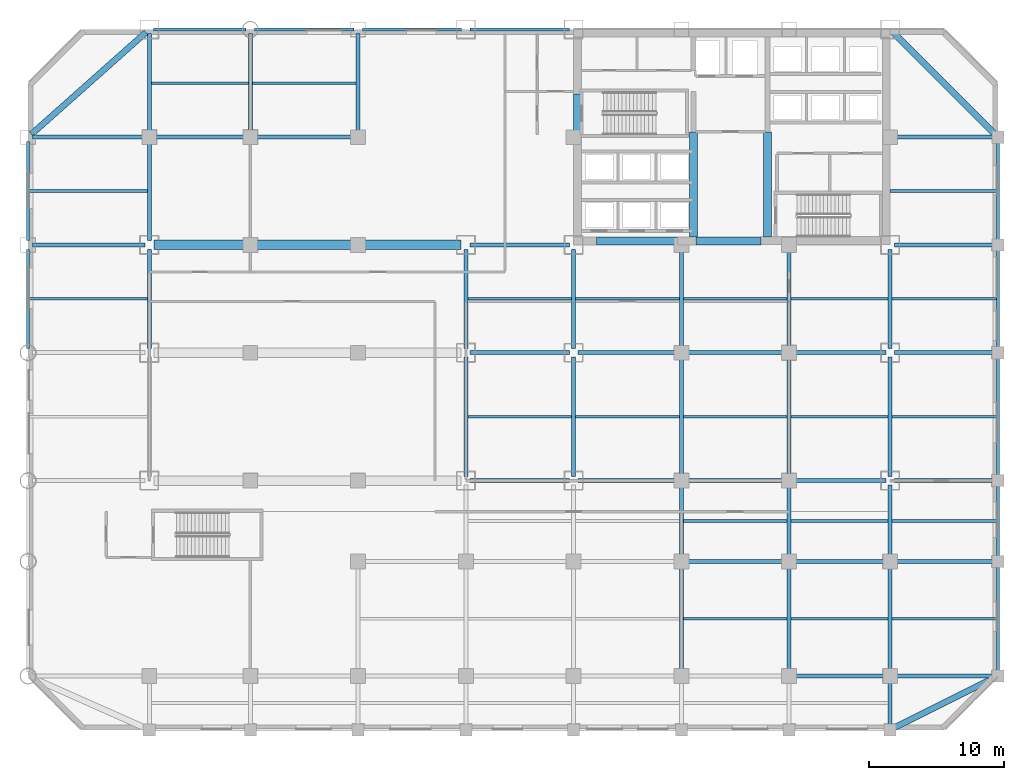
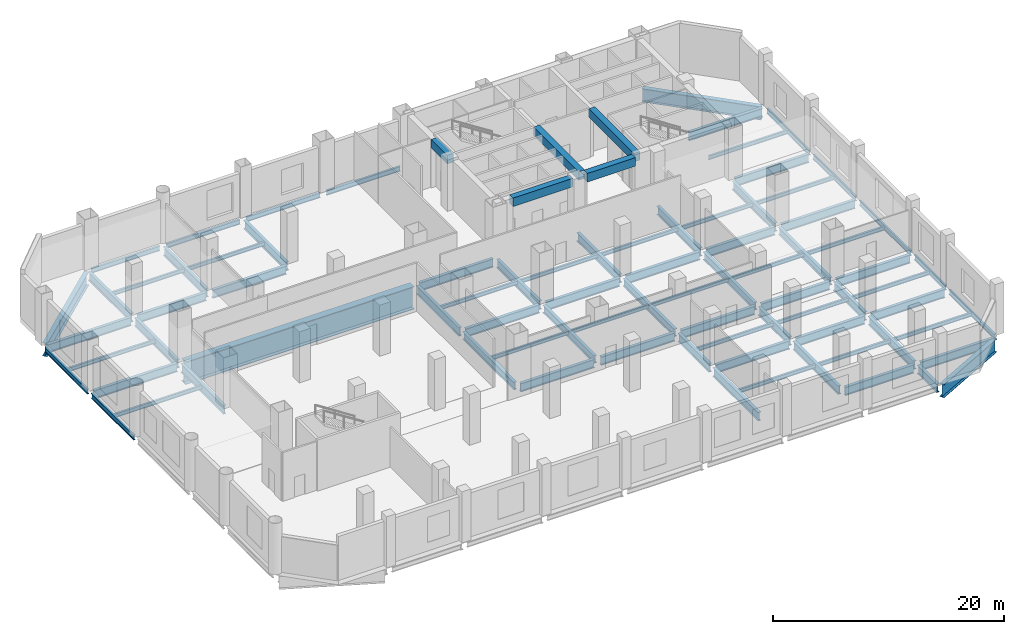
# One storey, part 2 of 10: 85 beams.
"""IFC4 building model written with IfcOpenShell, lengths in metres."""

import ifcopenshell
import ifcopenshell.guid

model = None  # the IFC model being written
_history = None  # IfcOwnerHistory: only IFC2X3 demands one
_inside = {}  # id of a spatial element -> (the spatial element, [elements in it])
_under = {}  # id of a project, library or spatial element -> (it, [spatial elements below it])
_declared = {}  # id of a project -> (the project, [libraries it declares])
_typed = {}  # id of a type object -> (the type object, [elements of that type])
_made_of = {}  # id of a material, layer set ... -> (it, [elements and type objects made of it])


def new_model(schema):
    """Start an empty IFC model of exactly this schema.

    Asked for "IFC4X3", IfcOpenShell would pick the latest addendum, in which some entities
    have other attributes; the version numbers below select the first issue.
    IFC2X3 requires an IfcOwnerHistory on every rooted entity: one is made here for all.
    """
    global model, _history
    if schema == "IFC4X3":
        model = ifcopenshell.file(schema_version=(4, 3, 0, 0))
    else:
        model = ifcopenshell.file(schema=schema)
    _inside.clear()
    _under.clear()
    _declared.clear()
    _typed.clear()
    _made_of.clear()
    _history = None
    if model.schema == "IFC2X3":
        org = make("IfcOrganization", Name="unknown")
        user = make(
            "IfcPersonAndOrganization",
            ThePerson=make("IfcPerson", FamilyName="unknown"),
            TheOrganization=org,
        )
        app = make(
            "IfcApplication",
            ApplicationDeveloper=org,
            Version="unknown",
            ApplicationFullName="unknown",
            ApplicationIdentifier="unknown",
        )
        _history = make(
            "IfcOwnerHistory",
            OwningUser=user,
            OwningApplication=app,
            ChangeAction="ADDED",
            CreationDate=0,
        )
    return model


def make(cls, **values):
    """One entity of the class cls with the attributes given. An attribute that is None is left unset."""
    return model.create_entity(
        cls, **{name: value for name, value in values.items() if value is not None}
    )


def rooted(cls, **values):
    """An entity with a GlobalId (a new one), such as an element, a storey or a relation."""
    return make(cls, GlobalId=ifcopenshell.guid.new(), OwnerHistory=_history, **values)


def si_unit(unit_type, name, prefix=None):
    """IfcSIUnit, for example si_unit("LENGTHUNIT", "METRE", prefix="MILLI")."""
    return make("IfcSIUnit", UnitType=unit_type, Prefix=prefix, Name=name)


def assignment(units):
    """IfcUnitAssignment: the units of a project."""
    return None if units is None else make("IfcUnitAssignment", Units=units)


def point(xyz):
    """IfcCartesianPoint."""
    return None if xyz is None else make("IfcCartesianPoint", Coordinates=xyz)


def direction(xyz):
    """IfcDirection."""
    return None if xyz is None else make("IfcDirection", DirectionRatios=xyz)


def frame(location, z_axis=None, x_axis=None):
    """IfcAxis2Placement3D, a coordinate frame: its origin and axes. An axis left out is left unset."""
    return make(
        "IfcAxis2Placement3D",
        Location=point(location),
        Axis=direction(z_axis),
        RefDirection=direction(x_axis),
    )


def frame_2d(location, x_axis=None):
    """IfcAxis2Placement2D, a coordinate frame in the plane: its origin and x axis."""
    return make(
        "IfcAxis2Placement2D", Location=point(location), RefDirection=direction(x_axis)
    )


def origin():
    """The frame at (0, 0, 0) with its axes left unset."""
    return frame((0.0, 0.0, 0.0))


def origin_2d():
    """The frame at (0, 0) in the plane with its x axis left unset."""
    return frame_2d((0.0, 0.0))


def place(relative_to, where):
    """IfcLocalPlacement: puts the frame where relative to a parent placement (None: the world)."""
    return make(
        "IfcLocalPlacement", PlacementRelTo=relative_to, RelativePlacement=where
    )


def context(
    kind, dimensions, precision=None, world=None, true_north=None, identifier=None
):
    """IfcGeometricRepresentationContext, for example the 3D "Model" context."""
    return make(
        "IfcGeometricRepresentationContext",
        ContextIdentifier=identifier,
        ContextType=kind,
        CoordinateSpaceDimension=dimensions,
        Precision=precision,
        WorldCoordinateSystem=world,
        TrueNorth=true_north,
    )


def subcontext(parent, identifier, kind, view, scale=None):
    """IfcGeometricRepresentationSubContext, for example "Body" below "Model"."""
    return make(
        "IfcGeometricRepresentationSubContext",
        ContextIdentifier=identifier,
        ContextType=kind,
        ParentContext=parent,
        TargetScale=scale,
        TargetView=view,
    )


def project(units=None, contexts=None):
    """IfcProject with its units and contexts."""
    return rooted(
        "IfcProject",
        Name="project",
        RepresentationContexts=contexts,
        UnitsInContext=assignment(units),
    )


def spatial(cls, under=None, at=None, **own):
    """A site, building, storey or space (cls), placed at a placement, below another one or the project."""
    s = rooted(cls, ObjectPlacement=at, **own)
    if under is not None:
        _under.setdefault(under.id(), (under, []))[1].append(s)
    return s


def profile(cls, at=None, kind="AREA", **sizes):
    """A parametric profile (cls). Its sizes go by their IFC names, for example OverallWidth=200.0."""
    return make(cls, ProfileType=kind, Position=at, **sizes)


def rectangle(**sizes):
    """IfcRectangleProfileDef."""
    return profile("IfcRectangleProfileDef", **sizes)


def i_section(**sizes):
    """IfcIShapeProfileDef."""
    return profile("IfcIShapeProfileDef", **sizes)


def extrude(swept, where, along, depth):
    """IfcExtrudedAreaSolid: the profile swept, set in the frame where, extruded along a direction by depth."""
    return make(
        "IfcExtrudedAreaSolid",
        SweptArea=swept,
        Position=where,
        ExtrudedDirection=direction(along),
        Depth=depth,
    )


def shape(context_of_items, identifier, shape_type, items):
    """IfcShapeRepresentation: the items that make up one representation, for example the "Body"."""
    return make(
        "IfcShapeRepresentation",
        ContextOfItems=context_of_items,
        RepresentationIdentifier=identifier,
        RepresentationType=shape_type,
        Items=items,
    )


def material(Name=None, Category=None):
    """IfcMaterial."""
    return make("IfcMaterial", Name=Name, Category=Category)


def material_profile(
    of_material, cross_section, Name=None, Category=None, Priority=None
):
    """IfcMaterialProfile: a cross section and its material."""
    return make(
        "IfcMaterialProfile",
        Name=Name,
        Material=of_material,
        Profile=cross_section,
        Priority=Priority,
        Category=Category,
    )


def profile_set(profiles, Name=None, composite=None):
    """IfcMaterialProfileSet."""
    return make(
        "IfcMaterialProfileSet",
        Name=Name,
        MaterialProfiles=profiles,
        CompositeProfile=composite,
    )


def made_of(thing, what):
    """Note that an element or type object is made of a material, layer set ...; save() writes the relation."""
    if what is not None:
        _made_of.setdefault(what.id(), (what, []))[1].append(thing)
    return thing


def type_object(cls, material=None, **own):
    """A type object (cls), such as IfcWallType, which elements share."""
    return made_of(rooted(cls, **own), material)


def element(
    cls,
    number,
    at=None,
    inside=None,
    cuts=None,
    type_object=None,
    material=None,
    context=None,
    identifier="Body",
    shape_type=None,
    held_by="IfcProductDefinitionShape",
    body=None,
    shapes=None,
    **own,
):
    """One element of the class cls, such as IfcWall. Its Tag is "e" and its number.

    at: its placement. inside: the storey or other place that contains it. cuts: it is an
    opening in that element (IfcRelVoidsElement). A single representation is given by context,
    identifier, shape_type and body (its items); several are given by shapes. held_by: the class
    of the entity that holds the representations. save() writes the other relations.
    """
    e = rooted(cls, Tag="e%d" % number, ObjectPlacement=at, **own)
    if body is not None:
        shapes = [shape(context, identifier, shape_type, body)]
    if shapes is not None:
        e.Representation = make(held_by, Representations=shapes)
    if inside is not None:
        _inside.setdefault(inside.id(), (inside, []))[1].append(e)
    if cuts is not None:
        rooted(
            "IfcRelVoidsElement", RelatingBuildingElement=cuts, RelatedOpeningElement=e
        )
    if type_object is not None:
        _typed.setdefault(type_object.id(), (type_object, []))[1].append(e)
    return made_of(e, material)


def aggregate(whole, parts):
    """IfcRelAggregates: a whole, such as a stair, and the parts it consists of."""
    return rooted("IfcRelAggregates", RelatingObject=whole, RelatedObjects=parts)


def save(model, path):
    """Write the relations noted so far, then the file.

    IfcRelAggregates (storeys below a building ...), IfcRelContainedInSpatialStructure (elements
    in a storey), IfcRelDefinesByType, IfcRelAssociatesMaterial and IfcRelDeclares: one each for
    every whole, place, type object, material and project.
    """
    for whole, parts in _under.values():
        aggregate(whole, parts)
    for where, things in _inside.values():
        rooted(
            "IfcRelContainedInSpatialStructure",
            RelatedElements=things,
            RelatingStructure=where,
        )
    for kind, things in _typed.values():
        rooted("IfcRelDefinesByType", RelatedObjects=things, RelatingType=kind)
    for what, things in _made_of.values():
        rooted("IfcRelAssociatesMaterial", RelatedObjects=things, RelatingMaterial=what)
    for by, libraries in _declared.values():
        rooted("IfcRelDeclares", RelatingContext=by, RelatedDefinitions=libraries)
    model.write(path)


model = new_model("IFC4")

# Units and contexts
model_context = context("Model", 3, precision=1e-05, world=origin(), true_north=direction((0.0, 1.0)))
body_context = subcontext(model_context, "Body", "Model", "MODEL_VIEW")
ifc_project = project(units=[si_unit("LENGTHUNIT", "METRE"), si_unit("AREAUNIT", "SQUARE_METRE"), si_unit("VOLUMEUNIT", "CUBIC_METRE"), si_unit("PLANEANGLEUNIT", "RADIAN"), si_unit("MASSUNIT", "GRAM", prefix="KILO")], contexts=[model_context])

# Site, building, storey
site_placement = place(None, origin())
site = spatial("IfcSite", under=ifc_project, at=site_placement, CompositionType="ELEMENT")
building_placement = place(site_placement, origin())
building = spatial("IfcBuilding", under=site, at=building_placement, Name="Qianrong Seaharbour Tower", CompositionType="ELEMENT")
storey_placement = place(building_placement, frame((0.0, 0.0, 17.39990234375)))
storey = spatial("IfcBuildingStorey", under=building, at=storey_placement, Name="L04", CompositionType="ELEMENT", Elevation=17.39990234375)

# Beams
ifc_material_1 = material(Name="Structural steel SN490B", Category="steel")
ifc_material_profile_1 = material_profile(ifc_material_1, i_section(OverallWidth=0.300048828125, OverallDepth=0.800048828125, WebThickness=0.013916015625, FlangeThickness=0.02587890625, FilletRadius=0.028076171875, at=origin_2d()), Name="H800x300x14x26")
ifc_profile_set_1 = profile_set([ifc_material_profile_1], Name="Structural steel SN490B")
beam_type_1 = type_object("IfcBeamType", Name="BM-G-800", PredefinedType="BEAM", material=ifc_profile_set_1)
for number, where, z_axis, x_axis, name in (
    (1, (32.5, 18.820068359375, -0.849853515625), (0.0, 1.0, 0.0), (-1.0, 0.0, 0.0), "L04 Primary Girder G5 GD-GE"),
    (2, (40.5, 18.820068359375, -0.849853515625), (0.0, 1.0, 0.0), (-1.0, 0.0, 0.0), "L04 Primary Girder G6 GD-GE"),
    (3, (48.5, 18.820068359375, -0.849853515625), (0.0, 1.0, 0.0), (-1.0, 0.0, 0.0), "L04 Primary Girder G7 GD-GE"),
    (4, (56.5, 18.820068359375, -0.849853515625), (0.0, 1.0, 0.0), (-1.0, 0.0, 0.0), "L04 Primary Girder G8 GD-GE"),
    (5, (64.0, 18.820068359375, -0.849853515625), (0.0, 1.0, 0.0), (-1.0, 0.0, 0.0), "L04 Primary Girder G9 GD-GE"),
):
    element("IfcBeam", number, at=place(storey_placement, frame(where, z_axis=z_axis, x_axis=x_axis)), inside=storey, type_object=beam_type_1, Name=name, PredefinedType="BEAM", context=body_context, shape_type="SweptSolid", body=[
        extrude(i_section(OverallWidth=0.300048828125, OverallDepth=0.800048828125, WebThickness=0.013916015625, FlangeThickness=0.02587890625, FilletRadius=0.028076171875, at=origin_2d()), origin(), (0.0, 0.0, 1.0), 8.85986328125),
    ])
ifc_material_profile_2 = material_profile(ifc_material_1, i_section(OverallWidth=0.300048828125, OverallDepth=0.89990234375, WebThickness=0.01611328125, FlangeThickness=0.028076171875, FilletRadius=0.028076171875, at=origin_2d()), Name="H900x300x16x28")
ifc_profile_set_2 = profile_set([ifc_material_profile_2], Name="Structural steel SN490B")
beam_type_2 = type_object("IfcBeamType", Name="BM-G-900", PredefinedType="BEAM", material=ifc_profile_set_2)
beam_1_placement = place(storey_placement, frame((56.820068359375, 4.0, -0.89990234375), z_axis=(1.0, 0.0, 0.0), x_axis=(0.0, 1.0, 0.0)))
element("IfcBeam", 6, at=beam_1_placement, inside=storey, type_object=beam_type_2, Name="L04 Primary Girder GB G8-G9", PredefinedType="BEAM", context=body_context, shape_type="SweptSolid", body=[
    extrude(i_section(OverallWidth=0.300048828125, OverallDepth=0.89990234375, WebThickness=0.01611328125, FlangeThickness=0.028076171875, FilletRadius=0.028076171875, at=origin_2d()), origin(), (0.0, 0.0, 1.0), 6.85986328125),
])
for number, where, z_axis, x_axis, name in (
    (7, (64.320068359375, 4.0, -0.89990234375), (1.0, 0.0, 0.0), (0.0, 1.0, 0.0), "L04 Primary Girder GB G9-G10"),
    (8, (48.820068359375, 12.5, -0.89990234375), (1.0, 0.0, 0.0), (0.0, 1.0, 0.0), "L04 Primary Girder GC G7-G8"),
):
    element("IfcBeam", number, at=place(storey_placement, frame(where, z_axis=z_axis, x_axis=x_axis)), inside=storey, type_object=beam_type_2, Name=name, PredefinedType="BEAM", context=body_context, shape_type="SweptSolid", body=[
        extrude(i_section(OverallWidth=0.300048828125, OverallDepth=0.89990234375, WebThickness=0.01611328125, FlangeThickness=0.028076171875, FilletRadius=0.028076171875, at=origin_2d()), origin(), (0.0, 0.0, 1.0), 7.35986328125),
    ])
beam_2_placement = place(storey_placement, frame((56.820068359375, 12.5, -0.89990234375), z_axis=(1.0, 0.0, 0.0), x_axis=(0.0, 1.0, 0.0)))
element("IfcBeam", 9, at=beam_2_placement, inside=storey, type_object=beam_type_2, Name="L04 Primary Girder GC G8-G9", PredefinedType="BEAM", context=body_context, shape_type="SweptSolid", body=[
    extrude(i_section(OverallWidth=0.300048828125, OverallDepth=0.89990234375, WebThickness=0.01611328125, FlangeThickness=0.028076171875, FilletRadius=0.028076171875, at=origin_2d()), origin(), (0.0, 0.0, 1.0), 6.85986328125),
])
for number, where, z_axis, x_axis, name in (
    (10, (64.320068359375, 12.5, -0.89990234375), (1.0, 0.0, 0.0), (0.0, 1.0, 0.0), "L04 Primary Girder GC G9-G10"),
    (11, (32.820068359375, 18.5, -0.89990234375), (1.0, 0.0, 0.0), (0.0, 1.0, 0.0), "L04 Primary Girder GD G5-G6"),
    (12, (40.820068359375, 18.5, -0.89990234375), (1.0, 0.0, 0.0), (0.0, 1.0, 0.0), "L04 Primary Girder GD G6-G7"),
    (13, (48.820068359375, 18.5, -0.89990234375), (1.0, 0.0, 0.0), (0.0, 1.0, 0.0), "L04 Primary Girder GD G7-G8"),
):
    element("IfcBeam", number, at=place(storey_placement, frame(where, z_axis=z_axis, x_axis=x_axis)), inside=storey, type_object=beam_type_2, Name=name, PredefinedType="BEAM", context=body_context, shape_type="SweptSolid", body=[
        extrude(i_section(OverallWidth=0.300048828125, OverallDepth=0.89990234375, WebThickness=0.01611328125, FlangeThickness=0.028076171875, FilletRadius=0.028076171875, at=origin_2d()), origin(), (0.0, 0.0, 1.0), 7.35986328125),
    ])
beam_3_placement = place(storey_placement, frame((56.820068359375, 18.5, -0.89990234375), z_axis=(1.0, 0.0, 0.0), x_axis=(0.0, 1.0, 0.0)))
element("IfcBeam", 14, at=beam_3_placement, inside=storey, type_object=beam_type_2, Name="L04 Primary Girder GD G8-G9", PredefinedType="BEAM", context=body_context, shape_type="SweptSolid", body=[
    extrude(i_section(OverallWidth=0.300048828125, OverallDepth=0.89990234375, WebThickness=0.01611328125, FlangeThickness=0.028076171875, FilletRadius=0.028076171875, at=origin_2d()), origin(), (0.0, 0.0, 1.0), 6.85986328125),
])
for number, where, z_axis, x_axis, name in (
    (15, (64.320068359375, 18.5, -0.89990234375), (1.0, 0.0, 0.0), (0.0, 1.0, 0.0), "L04 Primary Girder GD G9-G10"),
    (16, (32.820068359375, 28.0, -0.89990234375), (1.0, 0.0, 0.0), (0.0, 1.0, 0.0), "L04 Primary Girder GE G5-G6"),
    (17, (40.820068359375, 28.0, -0.89990234375), (1.0, 0.0, 0.0), (0.0, 1.0, 0.0), "L04 Primary Girder GE G6-G7"),
    (18, (48.820068359375, 28.0, -0.89990234375), (1.0, 0.0, 0.0), (0.0, 1.0, 0.0), "L04 Primary Girder GE G7-G8"),
):
    element("IfcBeam", number, at=place(storey_placement, frame(where, z_axis=z_axis, x_axis=x_axis)), inside=storey, type_object=beam_type_2, Name=name, PredefinedType="BEAM", context=body_context, shape_type="SweptSolid", body=[
        extrude(i_section(OverallWidth=0.300048828125, OverallDepth=0.89990234375, WebThickness=0.01611328125, FlangeThickness=0.028076171875, FilletRadius=0.028076171875, at=origin_2d()), origin(), (0.0, 0.0, 1.0), 7.35986328125),
    ])
beam_4_placement = place(storey_placement, frame((56.820068359375, 28.0, -0.89990234375), z_axis=(1.0, 0.0, 0.0), x_axis=(0.0, 1.0, 0.0)))
element("IfcBeam", 19, at=beam_4_placement, inside=storey, type_object=beam_type_2, Name="L04 Primary Girder GE G8-G9", PredefinedType="BEAM", context=body_context, shape_type="SweptSolid", body=[
    extrude(i_section(OverallWidth=0.300048828125, OverallDepth=0.89990234375, WebThickness=0.01611328125, FlangeThickness=0.028076171875, FilletRadius=0.028076171875, at=origin_2d()), origin(), (0.0, 0.0, 1.0), 6.85986328125),
])
beam_5_placement = place(storey_placement, frame((64.320068359375, 28.0, -0.89990234375), z_axis=(1.0, 0.0, 0.0), x_axis=(0.0, 1.0, 0.0)))
element("IfcBeam", 20, at=beam_5_placement, inside=storey, type_object=beam_type_2, Name="L04 Primary Girder GE G9-G10", PredefinedType="BEAM", context=body_context, shape_type="SweptSolid", body=[
    extrude(i_section(OverallWidth=0.300048828125, OverallDepth=0.89990234375, WebThickness=0.01611328125, FlangeThickness=0.028076171875, FilletRadius=0.028076171875, at=origin_2d()), origin(), (0.0, 0.0, 1.0), 7.35986328125),
])
beam_6_placement = place(storey_placement, frame((0.320068359375, 36.0, -0.89990234375), z_axis=(1.0, 0.0, 0.0), x_axis=(0.0, 1.0, 0.0)))
element("IfcBeam", 21, at=beam_6_placement, inside=storey, type_object=beam_type_2, Name="L04 Primary Girder GF G1-G2", PredefinedType="BEAM", context=body_context, shape_type="SweptSolid", body=[
    extrude(i_section(OverallWidth=0.300048828125, OverallDepth=0.89990234375, WebThickness=0.01611328125, FlangeThickness=0.028076171875, FilletRadius=0.028076171875, at=origin_2d()), origin(), (0.0, 0.0, 1.0), 8.35986328125),
])
for number, where, z_axis, x_axis, name in (
    (22, (32.820068359375, 36.0, -0.89990234375), (1.0, 0.0, 0.0), (0.0, 1.0, 0.0), "L04 Primary Girder GF G5-G6"),
    (23, (64.320068359375, 36.0, -0.89990234375), (1.0, 0.0, 0.0), (0.0, 1.0, 0.0), "L04 Primary Girder GF G9-G10"),
):
    element("IfcBeam", number, at=place(storey_placement, frame(where, z_axis=z_axis, x_axis=x_axis)), inside=storey, type_object=beam_type_2, Name=name, PredefinedType="BEAM", context=body_context, shape_type="SweptSolid", body=[
        extrude(i_section(OverallWidth=0.300048828125, OverallDepth=0.89990234375, WebThickness=0.01611328125, FlangeThickness=0.028076171875, FilletRadius=0.028076171875, at=origin_2d()), origin(), (0.0, 0.0, 1.0), 7.35986328125),
    ])
beam_7_placement = place(storey_placement, frame((0.320068359375, 44.0, -0.89990234375), z_axis=(1.0, 0.0, 0.0), x_axis=(0.0, 1.0, 0.0)))
element("IfcBeam", 24, at=beam_7_placement, inside=storey, type_object=beam_type_2, Name="L04 Primary Girder GG G1-G2", PredefinedType="BEAM", context=body_context, shape_type="SweptSolid", body=[
    extrude(i_section(OverallWidth=0.300048828125, OverallDepth=0.89990234375, WebThickness=0.01611328125, FlangeThickness=0.028076171875, FilletRadius=0.028076171875, at=origin_2d()), origin(), (0.0, 0.0, 1.0), 8.35986328125),
])
beam_8_placement = place(storey_placement, frame((9.320068359375, 44.0, -0.89990234375), z_axis=(1.0, 0.0, 0.0), x_axis=(0.0, 1.0, 0.0)))
element("IfcBeam", 25, at=beam_8_placement, inside=storey, type_object=beam_type_2, Name="L04 Primary Girder GG G2-G3", PredefinedType="BEAM", context=body_context, shape_type="SweptSolid", body=[
    extrude(i_section(OverallWidth=0.300048828125, OverallDepth=0.89990234375, WebThickness=0.01611328125, FlangeThickness=0.028076171875, FilletRadius=0.028076171875, at=origin_2d()), origin(), (0.0, 0.0, 1.0), 6.85986328125),
])
for number, where, z_axis, x_axis, name in (
    (26, (16.820068359375, 44.0, -0.89990234375), (1.0, 0.0, 0.0), (0.0, 1.0, 0.0), "L04 Primary Girder GG G3-G4"),
    (27, (64.320068359375, 44.0, -0.89990234375), (1.0, 0.0, 0.0), (0.0, 1.0, 0.0), "L04 Primary Girder GG G9-G10"),
    (28, (9.0, 28.320068359375, -0.89990234375), (0.0, 1.0, 0.0), (-1.0, 0.0, 0.0), "L04 Primary Girder G2 GE-GF"),
    (29, (9.0, 36.320068359375, -0.89990234375), (0.0, 1.0, 0.0), (-1.0, 0.0, 0.0), "L04 Primary Girder G2 GF-GG"),
    (30, (9.0, 44.320068359375, -0.89990234375), (0.0, 1.0, 0.0), (-1.0, 0.0, 0.0), "L04 Primary Girder G2 GG-GH"),
    (31, (16.5, 44.320068359375, -0.89990234375), (0.0, 1.0, 0.0), (-1.0, 0.0, 0.0), "L04 Primary Girder G3 GG-GH"),
    (32, (24.5, 44.320068359375, -0.89990234375), (0.0, 1.0, 0.0), (-1.0, 0.0, 0.0), "L04 Primary Girder G4 GG-GH"),
    (33, (32.5, 28.320068359375, -0.89990234375), (0.0, 1.0, 0.0), (-1.0, 0.0, 0.0), "L04 Primary Girder G5 GE-GF"),
    (34, (40.5, 28.320068359375, -0.89990234375), (0.0, 1.0, 0.0), (-1.0, 0.0, 0.0), "L04 Primary Girder G6 GE-GF"),
):
    element("IfcBeam", number, at=place(storey_placement, frame(where, z_axis=z_axis, x_axis=x_axis)), inside=storey, type_object=beam_type_2, Name=name, PredefinedType="BEAM", context=body_context, shape_type="SweptSolid", body=[
        extrude(i_section(OverallWidth=0.300048828125, OverallDepth=0.89990234375, WebThickness=0.01611328125, FlangeThickness=0.028076171875, FilletRadius=0.028076171875, at=origin_2d()), origin(), (0.0, 0.0, 1.0), 7.35986328125),
    ])
beam_9_placement = place(storey_placement, frame((48.5, 4.320068359375, -0.89990234375), z_axis=(0.0, 1.0, 0.0), x_axis=(-1.0, 0.0, 0.0)))
element("IfcBeam", 35, at=beam_9_placement, inside=storey, type_object=beam_type_2, Name="L04 Primary Girder G7 GB-GC", PredefinedType="BEAM", context=body_context, shape_type="SweptSolid", body=[
    extrude(i_section(OverallWidth=0.300048828125, OverallDepth=0.89990234375, WebThickness=0.01611328125, FlangeThickness=0.028076171875, FilletRadius=0.028076171875, at=origin_2d()), origin(), (0.0, 0.0, 1.0), 7.85986328125),
])
beam_10_placement = place(storey_placement, frame((48.5, 12.820068359375, -0.89990234375), z_axis=(0.0, 1.0, 0.0), x_axis=(-1.0, 0.0, 0.0)))
element("IfcBeam", 36, at=beam_10_placement, inside=storey, type_object=beam_type_2, Name="L04 Primary Girder G7 GC-GD", PredefinedType="BEAM", context=body_context, shape_type="SweptSolid", body=[
    extrude(i_section(OverallWidth=0.300048828125, OverallDepth=0.89990234375, WebThickness=0.01611328125, FlangeThickness=0.028076171875, FilletRadius=0.028076171875, at=origin_2d()), origin(), (0.0, 0.0, 1.0), 5.35986328125),
])
beam_11_placement = place(storey_placement, frame((48.5, 28.320068359375, -0.89990234375), z_axis=(0.0, 1.0, 0.0), x_axis=(-1.0, 0.0, 0.0)))
element("IfcBeam", 37, at=beam_11_placement, inside=storey, type_object=beam_type_2, Name="L04 Primary Girder G7 GE-GF", PredefinedType="BEAM", context=body_context, shape_type="SweptSolid", body=[
    extrude(i_section(OverallWidth=0.300048828125, OverallDepth=0.89990234375, WebThickness=0.01611328125, FlangeThickness=0.028076171875, FilletRadius=0.028076171875, at=origin_2d()), origin(), (0.0, 0.0, 1.0), 7.35986328125),
])
beam_12_placement = place(storey_placement, frame((56.5, 4.320068359375, -0.89990234375), z_axis=(0.0, 1.0, 0.0), x_axis=(-1.0, 0.0, 0.0)))
element("IfcBeam", 38, at=beam_12_placement, inside=storey, type_object=beam_type_2, Name="L04 Primary Girder G8 GB-GC", PredefinedType="BEAM", context=body_context, shape_type="SweptSolid", body=[
    extrude(i_section(OverallWidth=0.300048828125, OverallDepth=0.89990234375, WebThickness=0.01611328125, FlangeThickness=0.028076171875, FilletRadius=0.028076171875, at=origin_2d()), origin(), (0.0, 0.0, 1.0), 7.85986328125),
])
beam_13_placement = place(storey_placement, frame((56.5, 12.820068359375, -0.89990234375), z_axis=(0.0, 1.0, 0.0), x_axis=(-1.0, 0.0, 0.0)))
element("IfcBeam", 39, at=beam_13_placement, inside=storey, type_object=beam_type_2, Name="L04 Primary Girder G8 GC-GD", PredefinedType="BEAM", context=body_context, shape_type="SweptSolid", body=[
    extrude(i_section(OverallWidth=0.300048828125, OverallDepth=0.89990234375, WebThickness=0.01611328125, FlangeThickness=0.028076171875, FilletRadius=0.028076171875, at=origin_2d()), origin(), (0.0, 0.0, 1.0), 5.35986328125),
])
beam_14_placement = place(storey_placement, frame((56.5, 28.320068359375, -0.89990234375), z_axis=(0.0, 1.0, 0.0), x_axis=(-1.0, 0.0, 0.0)))
element("IfcBeam", 40, at=beam_14_placement, inside=storey, type_object=beam_type_2, Name="L04 Primary Girder G8 GE-GF", PredefinedType="BEAM", context=body_context, shape_type="SweptSolid", body=[
    extrude(i_section(OverallWidth=0.300048828125, OverallDepth=0.89990234375, WebThickness=0.01611328125, FlangeThickness=0.028076171875, FilletRadius=0.028076171875, at=origin_2d()), origin(), (0.0, 0.0, 1.0), 7.35986328125),
])
beam_15_placement = place(storey_placement, frame((64.0, 0.320068359375, -0.89990234375), z_axis=(0.0, 1.0, 0.0), x_axis=(-1.0, 0.0, 0.0)))
element("IfcBeam", 41, at=beam_15_placement, inside=storey, type_object=beam_type_2, Name="L04 Primary Girder G9 GA-GB", PredefinedType="BEAM", context=body_context, shape_type="SweptSolid", body=[
    extrude(i_section(OverallWidth=0.300048828125, OverallDepth=0.89990234375, WebThickness=0.01611328125, FlangeThickness=0.028076171875, FilletRadius=0.028076171875, at=origin_2d()), origin(), (0.0, 0.0, 1.0), 3.35986328125),
])
beam_16_placement = place(storey_placement, frame((64.0, 4.320068359375, -0.89990234375), z_axis=(0.0, 1.0, 0.0), x_axis=(-1.0, 0.0, 0.0)))
element("IfcBeam", 42, at=beam_16_placement, inside=storey, type_object=beam_type_2, Name="L04 Primary Girder G9 GB-GC", PredefinedType="BEAM", context=body_context, shape_type="SweptSolid", body=[
    extrude(i_section(OverallWidth=0.300048828125, OverallDepth=0.89990234375, WebThickness=0.01611328125, FlangeThickness=0.028076171875, FilletRadius=0.028076171875, at=origin_2d()), origin(), (0.0, 0.0, 1.0), 7.85986328125),
])
beam_17_placement = place(storey_placement, frame((64.0, 12.820068359375, -0.89990234375), z_axis=(0.0, 1.0, 0.0), x_axis=(-1.0, 0.0, 0.0)))
element("IfcBeam", 43, at=beam_17_placement, inside=storey, type_object=beam_type_2, Name="L04 Primary Girder G9 GC-GD", PredefinedType="BEAM", context=body_context, shape_type="SweptSolid", body=[
    extrude(i_section(OverallWidth=0.300048828125, OverallDepth=0.89990234375, WebThickness=0.01611328125, FlangeThickness=0.028076171875, FilletRadius=0.028076171875, at=origin_2d()), origin(), (0.0, 0.0, 1.0), 5.35986328125),
])
beam_18_placement = place(storey_placement, frame((64.0, 28.320068359375, -0.89990234375), z_axis=(0.0, 1.0, 0.0), x_axis=(-1.0, 0.0, 0.0)))
element("IfcBeam", 44, at=beam_18_placement, inside=storey, type_object=beam_type_2, Name="L04 Primary Girder G9 GE-GF", PredefinedType="BEAM", context=body_context, shape_type="SweptSolid", body=[
    extrude(i_section(OverallWidth=0.300048828125, OverallDepth=0.89990234375, WebThickness=0.01611328125, FlangeThickness=0.028076171875, FilletRadius=0.028076171875, at=origin_2d()), origin(), (0.0, 0.0, 1.0), 7.35986328125),
])
ifc_material_2 = material(Name="Structural steel SN400B", Category="steel")
ifc_material_profile_3 = material_profile(ifc_material_2, i_section(OverallWidth=0.199951171875, OverallDepth=0.39990234375, WebThickness=0.008056640625, FlangeThickness=0.012939453125, FilletRadius=0.01611328125, at=origin_2d()), Name="H400x200x8x13")
ifc_profile_set_3 = profile_set([ifc_material_profile_3], Name="Structural steel SN400B")
beam_type_3 = type_object("IfcBeamType", Name="BM-J-400", PredefinedType="JOIST", material=ifc_profile_set_3)
for number, where, z_axis, x_axis, name in (
    (45, (0.10009765625, 32.0, -0.64990234375), (1.0, 0.0, 0.0), (0.0, 1.0, 0.0), "L04 Composite Floor Joist G1-G2/GE-GF"),
    (46, (0.10009765625, 40.0, -0.64990234375), (1.0, 0.0, 0.0), (0.0, 1.0, 0.0), "L04 Composite Floor Joist G1-G2/GF-GG"),
):
    element("IfcBeam", number, at=place(storey_placement, frame(where, z_axis=z_axis, x_axis=x_axis)), inside=storey, type_object=beam_type_3, Name=name, PredefinedType="JOIST", context=body_context, shape_type="SweptSolid", body=[
        extrude(i_section(OverallWidth=0.199951171875, OverallDepth=0.39990234375, WebThickness=0.008056640625, FlangeThickness=0.012939453125, FilletRadius=0.01611328125, at=origin_2d()), origin(), (0.0, 0.0, 1.0), 8.75),
    ])
beam_19_placement = place(storey_placement, frame((9.14990234375, 48.0, -0.64990234375), z_axis=(1.0, 0.0, 0.0), x_axis=(0.0, 1.0, 0.0)))
element("IfcBeam", 47, at=beam_19_placement, inside=storey, type_object=beam_type_3, Name="L04 Composite Floor Joist G2-G3/GG-GH", PredefinedType="JOIST", context=body_context, shape_type="SweptSolid", body=[
    extrude(i_section(OverallWidth=0.199951171875, OverallDepth=0.39990234375, WebThickness=0.008056640625, FlangeThickness=0.012939453125, FilletRadius=0.01611328125, at=origin_2d()), origin(), (0.0, 0.0, 1.0), 7.2001953125),
])
for number, where, z_axis, x_axis, name in (
    (48, (16.64990234375, 48.0, -0.64990234375), (1.0, 0.0, 0.0), (0.0, 1.0, 0.0), "L04 Composite Floor Joist G3-G4/GG-GH"),
    (49, (32.64990234375, 23.25, -0.64990234375), (1.0, 0.0, 0.0), (0.0, 1.0, 0.0), "L04 Composite Floor Joist G5-G6/GD-GE"),
    (50, (32.64990234375, 32.0, -0.64990234375), (1.0, 0.0, 0.0), (0.0, 1.0, 0.0), "L04 Composite Floor Joist G5-G6/GE-GF"),
    (51, (40.64990234375, 23.25, -0.64990234375), (1.0, 0.0, 0.0), (0.0, 1.0, 0.0), "L04 Composite Floor Joist G6-G7/GD-GE"),
    (52, (40.64990234375, 32.0, -0.64990234375), (1.0, 0.0, 0.0), (0.0, 1.0, 0.0), "L04 Composite Floor Joist G6-G7/GE-GF"),
    (53, (48.64990234375, 8.25, -0.64990234375), (1.0, 0.0, 0.0), (0.0, 1.0, 0.0), "L04 Composite Floor Joist G7-G8/GB-GC"),
    (54, (48.64990234375, 15.5, -0.64990234375), (1.0, 0.0, 0.0), (0.0, 1.0, 0.0), "L04 Composite Floor Joist G7-G8/GC-GD"),
    (55, (48.64990234375, 23.25, -0.64990234375), (1.0, 0.0, 0.0), (0.0, 1.0, 0.0), "L04 Composite Floor Joist G7-G8/GD-GE"),
    (56, (48.64990234375, 32.0, -0.64990234375), (1.0, 0.0, 0.0), (0.0, 1.0, 0.0), "L04 Composite Floor Joist G7-G8/GE-GF"),
):
    element("IfcBeam", number, at=place(storey_placement, frame(where, z_axis=z_axis, x_axis=x_axis)), inside=storey, type_object=beam_type_3, Name=name, PredefinedType="JOIST", context=body_context, shape_type="SweptSolid", body=[
        extrude(i_section(OverallWidth=0.199951171875, OverallDepth=0.39990234375, WebThickness=0.008056640625, FlangeThickness=0.012939453125, FilletRadius=0.01611328125, at=origin_2d()), origin(), (0.0, 0.0, 1.0), 7.7001953125),
    ])
for number, where, z_axis, x_axis, name in (
    (57, (56.64990234375, 8.25, -0.64990234375), (1.0, 0.0, 0.0), (0.0, 1.0, 0.0), "L04 Composite Floor Joist G8-G9/GB-GC"),
    (58, (56.64990234375, 15.5, -0.64990234375), (1.0, 0.0, 0.0), (0.0, 1.0, 0.0), "L04 Composite Floor Joist G8-G9/GC-GD"),
    (59, (56.64990234375, 23.25, -0.64990234375), (1.0, 0.0, 0.0), (0.0, 1.0, 0.0), "L04 Composite Floor Joist G8-G9/GD-GE"),
    (60, (56.64990234375, 32.0, -0.64990234375), (1.0, 0.0, 0.0), (0.0, 1.0, 0.0), "L04 Composite Floor Joist G8-G9/GE-GF"),
):
    element("IfcBeam", number, at=place(storey_placement, frame(where, z_axis=z_axis, x_axis=x_axis)), inside=storey, type_object=beam_type_3, Name=name, PredefinedType="JOIST", context=body_context, shape_type="SweptSolid", body=[
        extrude(i_section(OverallWidth=0.199951171875, OverallDepth=0.39990234375, WebThickness=0.008056640625, FlangeThickness=0.012939453125, FilletRadius=0.01611328125, at=origin_2d()), origin(), (0.0, 0.0, 1.0), 7.2001953125),
    ])
for number, where, z_axis, x_axis, name in (
    (61, (64.14990234375, 8.25, -0.64990234375), (1.0, 0.0, 0.0), (0.0, 1.0, 0.0), "L04 Composite Floor Joist G9-G10/GB-GC"),
    (62, (64.14990234375, 15.5, -0.64990234375), (1.0, 0.0, 0.0), (0.0, 1.0, 0.0), "L04 Composite Floor Joist G9-G10/GC-GD"),
    (63, (64.14990234375, 23.25, -0.64990234375), (1.0, 0.0, 0.0), (0.0, 1.0, 0.0), "L04 Composite Floor Joist G9-G10/GD-GE"),
    (64, (64.14990234375, 32.0, -0.64990234375), (1.0, 0.0, 0.0), (0.0, 1.0, 0.0), "L04 Composite Floor Joist G9-G10/GE-GF"),
):
    element("IfcBeam", number, at=place(storey_placement, frame(where, z_axis=z_axis, x_axis=x_axis)), inside=storey, type_object=beam_type_3, Name=name, PredefinedType="JOIST", context=body_context, shape_type="SweptSolid", body=[
        extrude(i_section(OverallWidth=0.199951171875, OverallDepth=0.39990234375, WebThickness=0.008056640625, FlangeThickness=0.012939453125, FilletRadius=0.01611328125, at=origin_2d()), origin(), (0.0, 0.0, 1.0), 7.75),
    ])
beam_20_placement = place(storey_placement, frame((64.0, 40.0, -0.64990234375), z_axis=(1.0, 0.0, 0.0), x_axis=(0.0, 1.0, 0.0)))
element("IfcBeam", 65, at=beam_20_placement, inside=storey, type_object=beam_type_3, Name="L04 Composite Floor Joist G9-G10/GF-GG", PredefinedType="JOIST", context=body_context, shape_type="SweptSolid", body=[
    extrude(i_section(OverallWidth=0.199951171875, OverallDepth=0.39990234375, WebThickness=0.008056640625, FlangeThickness=0.012939453125, FilletRadius=0.01611328125, at=origin_2d()), origin(), (0.0, 0.0, 1.0), 7.89990234375),
])
ifc_material_3 = material(Name="Concrete C70/85", Category="concrete")
ifc_material_profile_4 = material_profile(ifc_material_3, rectangle(XDim=0.60009765625, YDim=0.89990234375, at=origin_2d()), Name="RC600x900")
ifc_profile_set_4 = profile_set([ifc_material_profile_4], Name="Concrete C70/85")
beam_type_4 = type_object("IfcBeamType", Name="BM-LINTEL-900", PredefinedType="LINTEL", material=ifc_profile_set_4)
beam_21_placement = place(storey_placement, frame((40.7900390625, 44.39990234375, 4.690185546875), z_axis=(0.0, 1.0, 0.0), x_axis=(-1.0, 0.0, 0.0)))
element("IfcBeam", 66, at=beam_21_placement, inside=storey, type_object=beam_type_4, Name="L04 Core Coupling Lintel Beam West", PredefinedType="LINTEL", context=body_context, shape_type="SweptSolid", body=[
    extrude(rectangle(XDim=0.60009765625, YDim=0.89990234375, at=origin_2d()), origin(), (0.0, 0.0, 1.0), 2.800048828125),
])
beam_22_placement = place(storey_placement, frame((42.199951171875, 36.2900390625, 4.690185546875), z_axis=(1.0, 0.0, 0.0), x_axis=(0.0, 1.0, 0.0)))
element("IfcBeam", 67, at=beam_22_placement, inside=storey, type_object=beam_type_4, Name="L04 Core Coupling Lintel Beam CBW", PredefinedType="LINTEL", context=body_context, shape_type="SweptSolid", body=[
    extrude(rectangle(XDim=0.60009765625, YDim=0.89990234375, at=origin_2d()), origin(), (0.0, 0.0, 1.0), 6.0),
])
beam_23_placement = place(storey_placement, frame((49.60009765625, 36.2900390625, 4.690185546875), z_axis=(1.0, 0.0, 0.0), x_axis=(0.0, 1.0, 0.0)))
element("IfcBeam", 68, at=beam_23_placement, inside=storey, type_object=beam_type_4, Name="L04 Core Coupling Lintel Beam CBC", PredefinedType="LINTEL", context=body_context, shape_type="SweptSolid", body=[
    extrude(rectangle(XDim=0.60009765625, YDim=0.89990234375, at=origin_2d()), origin(), (0.0, 0.0, 1.0), 4.7998046875),
])
for number, where, z_axis, x_axis, name in (
    (69, (49.39990234375, 36.580078125, 4.690185546875), (0.0, 1.0, 0.0), (-1.0, 0.0, 0.0), "L04 Internal Core Coupling Beam IW1"),
    (70, (54.89990234375, 36.580078125, 4.690185546875), (0.0, 1.0, 0.0), (-1.0, 0.0, 0.0), "L04 Internal Core Coupling Beam IW2"),
):
    element("IfcBeam", number, at=place(storey_placement, frame(where, z_axis=z_axis, x_axis=x_axis)), inside=storey, type_object=beam_type_4, Name=name, PredefinedType="LINTEL", context=body_context, shape_type="SweptSolid", body=[
        extrude(rectangle(XDim=0.60009765625, YDim=0.89990234375, at=origin_2d()), origin(), (0.0, 0.0, 1.0), 7.81982421875),
    ])
ifc_material_profile_5 = material_profile(ifc_material_1, i_section(OverallWidth=0.199951171875, OverallDepth=0.5, WebThickness=0.010009765625, FlangeThickness=0.01611328125, FilletRadius=0.02001953125, at=origin_2d()), Name="H500x200x10x16")
ifc_profile_set_5 = profile_set([ifc_material_profile_5], Name="Structural steel SN490B")
beam_type_5 = type_object("IfcBeamType", Name="BM-SP-500", PredefinedType="SPANDREL", material=ifc_profile_set_5)
beam_24_placement = place(storey_placement, frame((9.320068359375, 52.0, -0.699951171875), z_axis=(1.0, 0.0, 0.0), x_axis=(0.0, 1.0, 0.0)))
element("IfcBeam", 71, at=beam_24_placement, inside=storey, type_object=beam_type_5, Name="L04 Spandrel Girder GH G2-G3", PredefinedType="SPANDREL", context=body_context, shape_type="SweptSolid", body=[
    extrude(i_section(OverallWidth=0.199951171875, OverallDepth=0.5, WebThickness=0.010009765625, FlangeThickness=0.01611328125, FilletRadius=0.02001953125, at=origin_2d()), origin(), (0.0, 0.0, 1.0), 6.85986328125),
])
for number, where, z_axis, x_axis, name in (
    (72, (16.820068359375, 52.0, -0.699951171875), (1.0, 0.0, 0.0), (0.0, 1.0, 0.0), "L04 Spandrel Girder GH G3-G4"),
    (73, (24.820068359375, 52.0, -0.699951171875), (1.0, 0.0, 0.0), (0.0, 1.0, 0.0), "L04 Spandrel Girder GH G4-G5"),
    (74, (32.820068359375, 52.0, -0.699951171875), (1.0, 0.0, 0.0), (0.0, 1.0, 0.0), "L04 Spandrel Girder GH G5-G6"),
    (75, (0.0, 28.320068359375, -0.699951171875), (0.0, 1.0, 0.0), (-1.0, 0.0, 0.0), "L04 Spandrel Girder G1 GE-GF"),
    (76, (0.0, 36.320068359375, -0.699951171875), (0.0, 1.0, 0.0), (-1.0, 0.0, 0.0), "L04 Spandrel Girder G1 GF-GG"),
):
    element("IfcBeam", number, at=place(storey_placement, frame(where, z_axis=z_axis, x_axis=x_axis)), inside=storey, type_object=beam_type_5, Name=name, PredefinedType="SPANDREL", context=body_context, shape_type="SweptSolid", body=[
        extrude(i_section(OverallWidth=0.199951171875, OverallDepth=0.5, WebThickness=0.010009765625, FlangeThickness=0.01611328125, FilletRadius=0.02001953125, at=origin_2d()), origin(), (0.0, 0.0, 1.0), 7.35986328125),
    ])
beam_25_placement = place(storey_placement, frame((72.0, 4.320068359375, -0.699951171875), z_axis=(0.0, 1.0, 0.0), x_axis=(-1.0, 0.0, 0.0)))
element("IfcBeam", 77, at=beam_25_placement, inside=storey, type_object=beam_type_5, Name="L04 Spandrel Girder G10 GB-GC", PredefinedType="SPANDREL", context=body_context, shape_type="SweptSolid", body=[
    extrude(i_section(OverallWidth=0.199951171875, OverallDepth=0.5, WebThickness=0.010009765625, FlangeThickness=0.01611328125, FilletRadius=0.02001953125, at=origin_2d()), origin(), (0.0, 0.0, 1.0), 7.85986328125),
])
beam_26_placement = place(storey_placement, frame((72.0, 12.820068359375, -0.699951171875), z_axis=(0.0, 1.0, 0.0), x_axis=(-1.0, 0.0, 0.0)))
element("IfcBeam", 78, at=beam_26_placement, inside=storey, type_object=beam_type_5, Name="L04 Spandrel Girder G10 GC-GD", PredefinedType="SPANDREL", context=body_context, shape_type="SweptSolid", body=[
    extrude(i_section(OverallWidth=0.199951171875, OverallDepth=0.5, WebThickness=0.010009765625, FlangeThickness=0.01611328125, FilletRadius=0.02001953125, at=origin_2d()), origin(), (0.0, 0.0, 1.0), 5.35986328125),
])
beam_27_placement = place(storey_placement, frame((72.0, 18.820068359375, -0.699951171875), z_axis=(0.0, 1.0, 0.0), x_axis=(-1.0, 0.0, 0.0)))
element("IfcBeam", 79, at=beam_27_placement, inside=storey, type_object=beam_type_5, Name="L04 Spandrel Girder G10 GD-GE", PredefinedType="SPANDREL", context=body_context, shape_type="SweptSolid", body=[
    extrude(i_section(OverallWidth=0.199951171875, OverallDepth=0.5, WebThickness=0.010009765625, FlangeThickness=0.01611328125, FilletRadius=0.02001953125, at=origin_2d()), origin(), (0.0, 0.0, 1.0), 8.85986328125),
])
for number, where, z_axis, x_axis, name in (
    (80, (72.0, 28.320068359375, -0.699951171875), (0.0, 1.0, 0.0), (-1.0, 0.0, 0.0), "L04 Spandrel Girder G10 GE-GF"),
    (81, (72.0, 36.320068359375, -0.699951171875), (0.0, 1.0, 0.0), (-1.0, 0.0, 0.0), "L04 Spandrel Girder G10 GF-GG"),
):
    element("IfcBeam", number, at=place(storey_placement, frame(where, z_axis=z_axis, x_axis=x_axis)), inside=storey, type_object=beam_type_5, Name=name, PredefinedType="SPANDREL", context=body_context, shape_type="SweptSolid", body=[
        extrude(i_section(OverallWidth=0.199951171875, OverallDepth=0.5, WebThickness=0.010009765625, FlangeThickness=0.01611328125, FilletRadius=0.02001953125, at=origin_2d()), origin(), (0.0, 0.0, 1.0), 7.35986328125),
    ])
ifc_material_profile_6 = material_profile(ifc_material_1, i_section(OverallWidth=0.449951171875, OverallDepth=1.39990234375, WebThickness=0.02197265625, FlangeThickness=0.0400390625, at=origin_2d()), Name="BH1400x450x22x40")
ifc_profile_set_6 = profile_set([ifc_material_profile_6], Name="Structural steel SN490B")
beam_type_6 = type_object("IfcBeamType", Name="BM-TG-1400", PredefinedType="BEAM", material=ifc_profile_set_6)
beam_28_placement = place(storey_placement, frame((8.7607421875, 51.787353515625, -1.14990234375), z_axis=(-0.747406955841, -0.664366497018, 0.0), x_axis=(0.664366497018, -0.747406955841, 0.0)))
element("IfcBeam", 82, at=beam_28_placement, inside=storey, type_object=beam_type_6, Name="L04 Chamfer Corner Spandrel Girder G1/GH", PredefinedType="BEAM", context=body_context, shape_type="SweptSolid", body=[
    extrude(i_section(OverallWidth=0.449951171875, OverallDepth=1.39990234375, WebThickness=0.02197265625, FlangeThickness=0.0400390625, at=origin_2d()), origin(), (0.0, 0.0, 1.0), 11.4013671875),
])
beam_29_placement = place(storey_placement, frame((64.2861328125, 0.14306640625, -1.14990234375), z_axis=(0.894427191, 0.4472135955, 0.0), x_axis=(-0.4472135955, 0.894427191, 0.0)))
element("IfcBeam", 83, at=beam_29_placement, inside=storey, type_object=beam_type_6, Name="L04 Chamfer Corner Spandrel Girder G10/GA", PredefinedType="BEAM", context=body_context, shape_type="SweptSolid", body=[
    extrude(i_section(OverallWidth=0.449951171875, OverallDepth=1.39990234375, WebThickness=0.02197265625, FlangeThickness=0.0400390625, at=origin_2d()), origin(), (0.0, 0.0, 1.0), 8.304443359375),
])
beam_30_placement = place(storey_placement, frame((64.226318359375, 51.773681640625, -1.14990234375), z_axis=(0.707106781187, -0.707106781187, 0.0), x_axis=(0.707106781187, 0.707106781187, 0.0)))
element("IfcBeam", 84, at=beam_30_placement, inside=storey, type_object=beam_type_6, Name="L04 Chamfer Corner Spandrel Girder G10/GH", PredefinedType="BEAM", context=body_context, shape_type="SweptSolid", body=[
    extrude(i_section(OverallWidth=0.449951171875, OverallDepth=1.39990234375, WebThickness=0.02197265625, FlangeThickness=0.0400390625, at=origin_2d()), origin(), (0.0, 0.0, 1.0), 10.673583984375),
])
ifc_material_profile_7 = material_profile(ifc_material_1, i_section(OverallWidth=0.699951171875, OverallDepth=2.39990234375, WebThickness=0.035888671875, FlangeThickness=0.06494140625, at=origin_2d()), Name="BH2400x700x36x65")
ifc_profile_set_7 = profile_set([ifc_material_profile_7], Name="Structural steel SN490B")
beam_type_7 = type_object("IfcBeamType", Name="BM-TG-2400", PredefinedType="BEAM", material=ifc_profile_set_7)
beam_31_placement = place(storey_placement, frame((9.35009765625, 36.0, -1.64990234375), z_axis=(1.0, 0.0, 0.0), x_axis=(0.0, 1.0, 0.0)))
element("IfcBeam", 85, at=beam_31_placement, inside=storey, type_object=beam_type_7, Name="L04 Auditorium Transfer Girder TG-4 along GF", PredefinedType="BEAM", context=body_context, shape_type="SweptSolid", body=[
    extrude(i_section(OverallWidth=0.699951171875, OverallDepth=2.39990234375, WebThickness=0.035888671875, FlangeThickness=0.06494140625, at=origin_2d()), origin(), (0.0, 0.0, 1.0), 22.7998046875),
])

save(model, "model.ifc")
